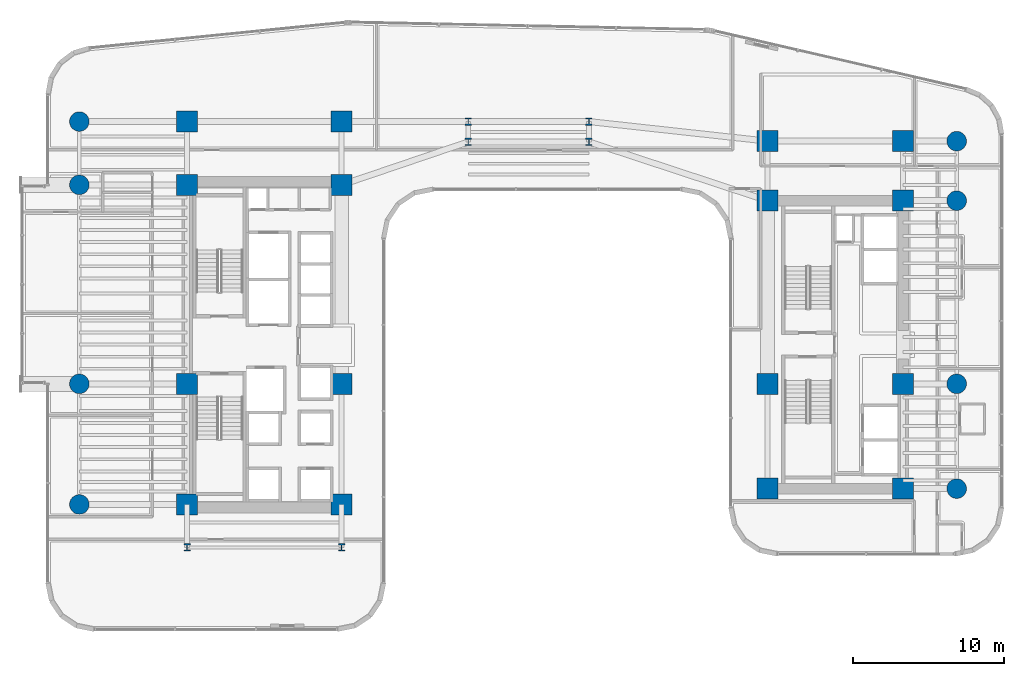
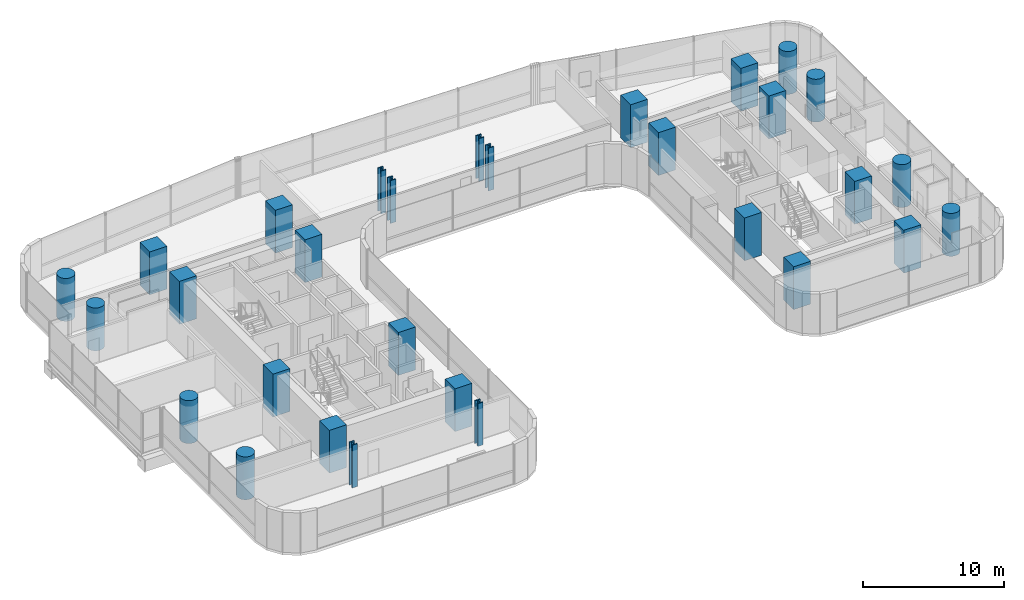
# One storey, part 1 of 39: 30 columns.
"""IFC4 building model written with IfcOpenShell, lengths in metres."""

from ifc_helpers import new_model, si_unit, direction, frame, origin, origin_2d, place, context, subcontext, project, spatial, rectangle, circle, i_section, extrude, source, transform, mapped, material, material_profile, profile_set, type_object, element, save


model = new_model("IFC4")

# Units and contexts
model_context = context("Model", 3, precision=1e-05, world=origin(), true_north=direction((0.0, 1.0)))
body_context = subcontext(model_context, "Body", "Model", "MODEL_VIEW")
ifc_project = project(units=[si_unit("LENGTHUNIT", "METRE"), si_unit("AREAUNIT", "SQUARE_METRE"), si_unit("VOLUMEUNIT", "CUBIC_METRE"), si_unit("PLANEANGLEUNIT", "RADIAN"), si_unit("MASSUNIT", "GRAM", prefix="KILO")], contexts=[model_context])

# Site, building, storey
site_placement = place(None, origin())
site = spatial("IfcSite", under=ifc_project, at=site_placement, CompositionType="ELEMENT")
building_placement = place(site_placement, origin())
building = spatial("IfcBuilding", under=site, at=building_placement, Name="Valdorenza Pilgrim Sanctuary Tower", CompositionType="ELEMENT")
storey_placement = place(building_placement, frame((0.0, 0.0, 70.39990234375)))
storey = spatial("IfcBuildingStorey", under=building, at=storey_placement, Name="L17", CompositionType="ELEMENT", Elevation=70.39990234375)

# Columns
ifc_material_1 = material(Name="Concrete C60/75", Category="concrete")
ifc_material_profile_1 = material_profile(ifc_material_1, circle(Radius=0.64990234375, at=origin_2d()), Name="RC D1300")
ifc_profile_set_1 = profile_set([ifc_material_profile_1], Name="Concrete C60/75")
column_type_1 = type_object("IfcColumnType", Name="COL-RND-1300", PredefinedType="COLUMN", material=ifc_profile_set_1)
shared_shape_1 = source(origin(), body_context, "Body", "SweptSolid", [
    extrude(circle(Radius=0.64990234375, at=origin_2d()), origin(), (0.0, 0.0, 1.0), 3.7001953125),
])
for number, where, z_axis, x_axis, name in (
    (1, (-29.800048828125, -10.60009765625, 0.0), (0.0, 0.0, 1.0), (1.0, 0.0, 0.0), "L17 Perimeter Column WA-W-S1"),
    (2, (-29.800048828125, -2.60009765625, 0.0), (0.0, 0.0, 1.0), (1.0, 0.0, 0.0), "L17 Perimeter Column WA-W-M0"),
    (3, (-29.800048828125, 10.60009765625, 0.0), (0.0, 0.0, 1.0), (1.0, 0.0, 0.0), "L17 Perimeter Column WA-W-N1"),
    (4, (-29.800048828125, 14.800048828125, 0.0), (0.0, 0.0, 1.0), (1.0, 0.0, 0.0), "L17 Perimeter Column WA-W-N2"),
    (5, (28.39990234375, -9.550048828125, 0.0), (0.0, 0.0, 1.0), (1.0, 0.0, 0.0), "L17 Perimeter Column WB-E-S1"),
    (6, (28.39990234375, -2.60009765625, 0.0), (0.0, 0.0, 1.0), (1.0, 0.0, 0.0), "L17 Perimeter Column WB-E-M0"),
    (7, (28.39990234375, 9.550048828125, 0.0), (0.0, 0.0, 1.0), (1.0, 0.0, 0.0), "L17 Perimeter Column WB-E-N1"),
    (8, (28.39990234375, 13.5, 0.0), (0.0, 0.0, 1.0), (1.0, 0.0, 0.0), "L17 Perimeter Column WB-E-N2"),
):
    element("IfcColumn", number, at=place(storey_placement, frame(where, z_axis=z_axis, x_axis=x_axis)), inside=storey, type_object=column_type_1, Name=name, PredefinedType="COLUMN", context=body_context, shape_type="MappedRepresentation", body=[
        mapped(shared_shape_1, transform((0.0, 0.0, 0.0), x_axis=(1.0, 0.0, 0.0), y_axis=(0.0, 1.0, 0.0), z_axis=(0.0, 0.0, 1.0), scale=1.0)),
    ])
ifc_material_profile_2 = material_profile(ifc_material_1, rectangle(XDim=1.39990234375, YDim=1.39990234375, at=origin_2d()), Name="RC 1400x1400")
ifc_profile_set_2 = profile_set([ifc_material_profile_2], Name="Concrete C60/75")
column_type_2 = type_object("IfcColumnType", Name="COL-Z1-1400", PredefinedType="COLUMN", material=ifc_profile_set_2)
shared_shape_2 = source(origin(), body_context, "Body", "SweptSolid", [
    extrude(rectangle(XDim=1.39990234375, YDim=1.39990234375, at=origin_2d()), origin(), (0.0, 0.0, 1.0), 3.7001953125),
])
for number, where, z_axis, x_axis, name in (
    (9, (-22.64990234375, -10.60009765625, 0.0), (0.0, 0.0, 1.0), (1.0, 0.0, 0.0), "L17 Column CA-W-S1"),
    (10, (-12.39990234375, -10.60009765625, 0.0), (0.0, 0.0, 1.0), (1.0, 0.0, 0.0), "L17 Column CA-E-S1"),
    (11, (-22.64990234375, -2.60009765625, 0.0), (0.0, 0.0, 1.0), (1.0, 0.0, 0.0), "L17 Column CA-W-M0"),
    (12, (-12.39990234375, -2.60009765625, 0.0), (0.0, 0.0, 1.0), (1.0, 0.0, 0.0), "L17 Column CA-E-M0"),
    (13, (-22.64990234375, 10.60009765625, 0.0), (0.0, 0.0, 1.0), (1.0, 0.0, 0.0), "L17 Column CA-W-N1"),
    (14, (-12.39990234375, 10.60009765625, 0.0), (0.0, 0.0, 1.0), (1.0, 0.0, 0.0), "L17 Column CA-E-N1"),
    (15, (-22.64990234375, 14.800048828125, 0.0), (0.0, 0.0, 1.0), (1.0, 0.0, 0.0), "L17 Column CA-W-N2"),
    (16, (-12.39990234375, 14.800048828125, 0.0), (0.0, 0.0, 1.0), (1.0, 0.0, 0.0), "L17 Column CA-E-N2"),
    (17, (15.85009765625, -9.550048828125, 0.0), (0.0, 0.0, 1.0), (1.0, 0.0, 0.0), "L17 Column CB-W-S1"),
    (18, (24.85009765625, -9.550048828125, 0.0), (0.0, 0.0, 1.0), (1.0, 0.0, 0.0), "L17 Column CB-E-S1"),
    (19, (15.85009765625, -2.60009765625, 0.0), (0.0, 0.0, 1.0), (1.0, 0.0, 0.0), "L17 Column CB-W-M0"),
    (20, (24.85009765625, -2.60009765625, 0.0), (0.0, 0.0, 1.0), (1.0, 0.0, 0.0), "L17 Column CB-E-M0"),
    (21, (15.85009765625, 9.550048828125, 0.0), (0.0, 0.0, 1.0), (1.0, 0.0, 0.0), "L17 Column CB-W-N1"),
    (22, (24.85009765625, 9.550048828125, 0.0), (0.0, 0.0, 1.0), (1.0, 0.0, 0.0), "L17 Column CB-E-N1"),
    (23, (15.85009765625, 13.5, 0.0), (0.0, 0.0, 1.0), (1.0, 0.0, 0.0), "L17 Column CB-W-N2"),
    (24, (24.85009765625, 13.5, 0.0), (0.0, 0.0, 1.0), (1.0, 0.0, 0.0), "L17 Column CB-E-N2"),
):
    element("IfcColumn", number, at=place(storey_placement, frame(where, z_axis=z_axis, x_axis=x_axis)), inside=storey, type_object=column_type_2, Name=name, PredefinedType="COLUMN", context=body_context, shape_type="MappedRepresentation", body=[
        mapped(shared_shape_2, transform((0.0, 0.0, 0.0), x_axis=(1.0, 0.0, 0.0), y_axis=(0.0, 1.0, 0.0), z_axis=(0.0, 0.0, 1.0), scale=1.0)),
    ])
ifc_material_2 = material(Name="Steel ASTM A992 Grade 50", Category="steel")
ifc_material_profile_3 = material_profile(ifc_material_2, i_section(OverallWidth=0.431884765625, OverallDepth=0.498046875, WebThickness=0.0556640625, FlangeThickness=0.0888671875, at=origin_2d()), Name="W14X500")
ifc_profile_set_3 = profile_set([ifc_material_profile_3], Name="Steel ASTM A992 Grade 50")
column_type_3 = type_object("IfcColumnType", Name="COL-STL-W500", PredefinedType="COLUMN", material=ifc_profile_set_3)
shared_shape_3 = source(origin(), body_context, "Body", "SweptSolid", [
    extrude(i_section(OverallWidth=0.431884765625, OverallDepth=0.498046875, WebThickness=0.0556640625, FlangeThickness=0.0888671875, at=origin_2d()), origin(), (0.0, 0.0, 1.0), 3.7001953125),
])
for number, where, z_axis, x_axis, name in (
    (25, (-22.64990234375, -13.449951171875, 0.0), (0.0, 0.0, 1.0), (1.0, 0.0, 0.0), "L17 Column WA-S-W"),
    (26, (-12.39990234375, -13.449951171875, 0.0), (0.0, 0.0, 1.0), (1.0, 0.0, 0.0), "L17 Column WA-S-E"),
    (27, (-4.0, 13.449951171875, 0.0), (0.0, 0.0, 1.0), (1.0, 0.0, 0.0), "L17 Column KNK-W1"),
    (28, (-4.0, 14.800048828125, 0.0), (0.0, 0.0, 1.0), (1.0, 0.0, 0.0), "L17 Column KNK-W2"),
    (29, (4.0, 13.449951171875, 0.0), (0.0, 0.0, 1.0), (1.0, 0.0, 0.0), "L17 Column KNK-E1"),
    (30, (4.0, 14.800048828125, 0.0), (0.0, 0.0, 1.0), (1.0, 0.0, 0.0), "L17 Column KNK-E2"),
):
    element("IfcColumn", number, at=place(storey_placement, frame(where, z_axis=z_axis, x_axis=x_axis)), inside=storey, type_object=column_type_3, Name=name, PredefinedType="COLUMN", context=body_context, shape_type="MappedRepresentation", body=[
        mapped(shared_shape_3, transform((0.0, 0.0, 0.0), x_axis=(1.0, 0.0, 0.0), y_axis=(0.0, 1.0, 0.0), z_axis=(0.0, 0.0, 1.0), scale=1.0)),
    ])

save(model, "model.ifc")
